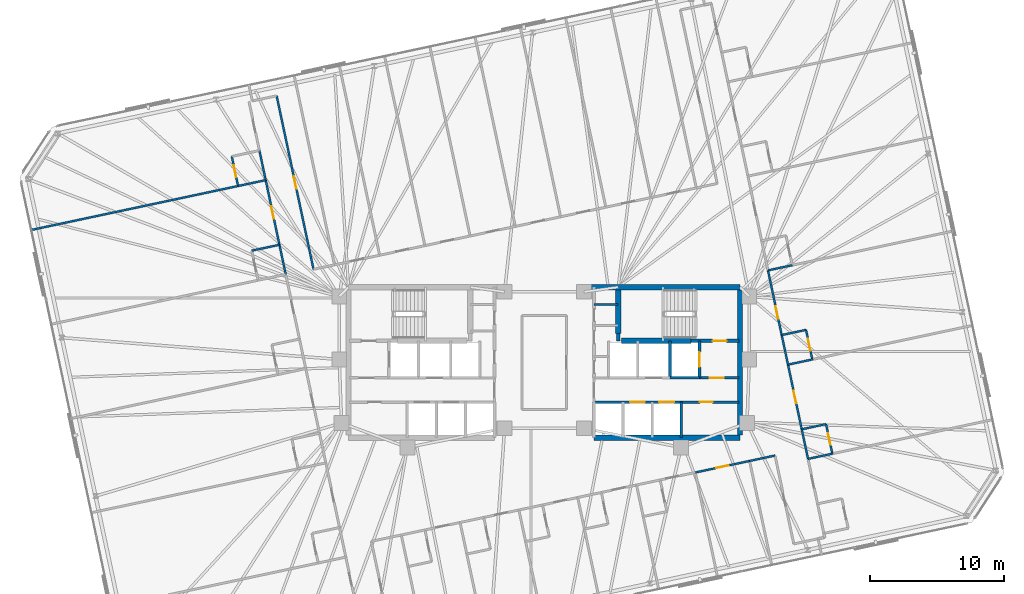
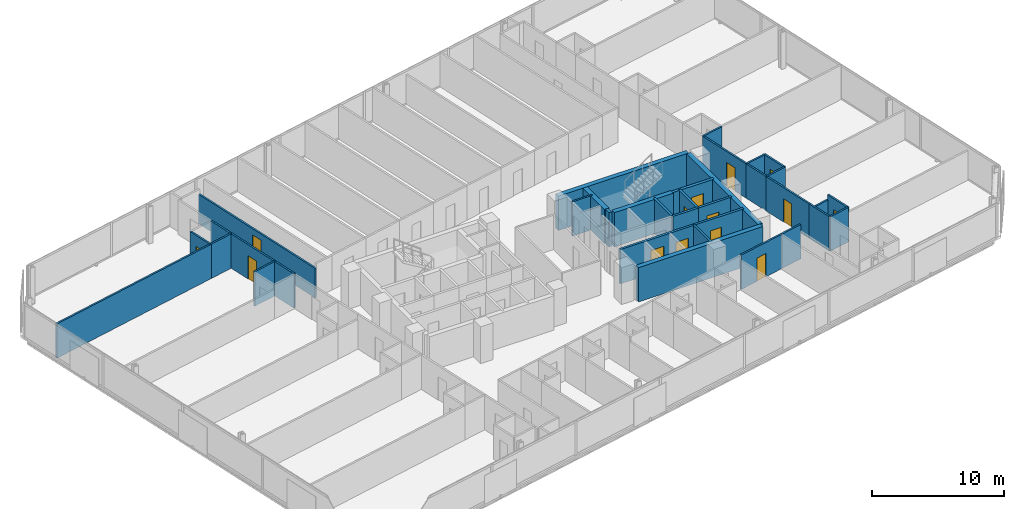
# One storey, part 17 of 21: 35 walls, 14 doors, 14 openings.
"""IFC4 building model written with IfcOpenShell, lengths in metres."""

from ifc_helpers import new_model, si_unit, direction, frame, frame_2d, origin, place, context, subcontext, project, spatial, rectangle, extrude, material, layer, layer_set, type_object, element, fill, save


model = new_model("IFC4")

# Units and contexts
model_context = context("Model", 3, precision=1e-05, world=origin(), true_north=direction((0.0, 1.0)))
body_context = subcontext(model_context, "Body", "Model", "MODEL_VIEW")
ifc_project = project(units=[si_unit("LENGTHUNIT", "METRE"), si_unit("AREAUNIT", "SQUARE_METRE"), si_unit("VOLUMEUNIT", "CUBIC_METRE"), si_unit("PLANEANGLEUNIT", "RADIAN"), si_unit("MASSUNIT", "GRAM", prefix="KILO")], contexts=[model_context])

# Site, building, storey
site_placement = place(None, origin())
site = spatial("IfcSite", under=ifc_project, at=site_placement, CompositionType="ELEMENT")
building_placement = place(site_placement, origin())
building = spatial("IfcBuilding", under=site, at=building_placement, Name="Menara Jurai Vektor", CompositionType="ELEMENT")
storey_placement = place(building_placement, frame((0.0, 0.0, 188.800048828125)))
storey = spatial("IfcBuildingStorey", under=building, at=storey_placement, Name="L49", CompositionType="ELEMENT", Elevation=188.800048828125)

# Wall, opening, door
ifc_material_1 = material(Name="Concrete C40/50", Category="concrete")
ifc_layer_1 = layer(ifc_material_1, 0.25)
ifc_layer_set_1 = layer_set([ifc_layer_1], Name="Concrete C40/50")
wall_type_1 = type_object("IfcWallType", Name="INT-WALL-CORE-250", PredefinedType="STANDARD", material=ifc_layer_set_1)
wall_1_placement = place(storey_placement, frame((10.89990234375, 1.60009765625, 0.0), z_axis=(0.0, 0.0, 1.0), x_axis=(1.0, 0.0, 0.0)))
wall_1 = element("IfcWall", 1, at=wall_1_placement, inside=storey, type_object=wall_type_1, Name="Interior Wall IW-250 L49", PredefinedType="STANDARD", context=body_context, shape_type="SweptSolid", body=[
    extrude(rectangle(XDim=3.60009765625, YDim=0.25, at=frame_2d((1.800048828125, 0.0))), origin(), (0.0, 0.0, 1.0), 3.175048828125),
])
opening_1_placement = place(wall_1_placement, frame((1.6201171875, 0.0, 0.0)))
opening_1 = element("IfcOpeningElement", 2, at=opening_1_placement, cuts=wall_1, Name="Opening D-L49-ST2", PredefinedType="OPENING", context=body_context, shape_type="SweptSolid", body=[
    extrude(rectangle(XDim=1.050048828125, YDim=2.14990234375, at=frame_2d((0.52490234375, 1.074951171875))), frame((0.0, 0.135009765625, 0.0), z_axis=(0.0, -1.0, 0.0), x_axis=(1.0, 0.0, 0.0)), (0.0, 0.0, 1.0), 0.27001953125),
])
ifc_material_2 = material(Name="Fire-Rated Steel Door", Category="steel")
door_type_1 = type_object("IfcDoorType", Name="DR-STAIR-1050", OperationType="NOTDEFINED", PredefinedType="DOOR", material=ifc_material_2)
door_1_placement = place(opening_1_placement, origin())
door_1 = element("IfcDoor", 3, at=door_1_placement, inside=storey, type_object=door_type_1, Name="Exit Stair ST2 Door L49", OperationType="SINGLE_SWING_LEFT", OverallHeight=2.14990234375, OverallWidth=1.050048828125, PredefinedType="DOOR", context=body_context, shape_type="SweptSolid", body=[
    extrude(rectangle(XDim=1.050048828125, YDim=2.14990234375, at=frame_2d((0.52490234375, 1.074951171875))), frame((0.0, 0.02490234375, 0.0), z_axis=(0.0, -1.0, 0.0), x_axis=(1.0, 0.0, 0.0)), (0.0, 0.0, 1.0), 0.050048828125),
])
fill(opening_1, door_1)

# Wall
wall_2_placement = place(storey_placement, frame((5.5, 1.60009765625, 0.0), z_axis=(0.0, 0.0, 1.0), x_axis=(0.0, 1.0, 0.0)))
element("IfcWall", 4, at=wall_2_placement, inside=storey, type_object=wall_type_1, Name="Interior Wall IW-250 L49", PredefinedType="STANDARD", context=body_context, shape_type="SweptSolid", body=[
    extrude(rectangle(XDim=0.5498046875, YDim=0.25, at=frame_2d((0.27490234375, 0.0))), origin(), (0.0, 0.0, 1.0), 3.175048828125),
])

# Wall, opening, door
wall_3_placement = place(storey_placement, frame((11.550048828125, -1.14990234375, 0.0), z_axis=(0.0, 0.0, 1.0), x_axis=(0.0, 1.0, 0.0)))
wall_3 = element("IfcWall", 5, at=wall_3_placement, inside=storey, type_object=wall_type_1, Name="Interior Wall IW-250 L49", PredefinedType="STANDARD", context=body_context, shape_type="SweptSolid", body=[
    extrude(rectangle(XDim=2.75, YDim=0.199951171875, at=frame_2d((1.375, 0.0))), origin(), (0.0, 0.0, 1.0), 3.175048828125),
])
opening_2_placement = place(wall_3_placement, frame((0.824951171875, 0.0, 0.0)))
opening_2 = element("IfcOpeningElement", 6, at=opening_2_placement, cuts=wall_3, Name="Opening LD-L49-FL2", PredefinedType="OPENING", context=body_context, shape_type="SweptSolid", body=[
    extrude(rectangle(XDim=1.10009765625, YDim=2.14990234375, at=frame_2d((0.550048828125, 1.074951171875))), frame((0.0, 0.10986328125, 0.0), z_axis=(0.0, -1.0, 0.0), x_axis=(1.0, 0.0, 0.0)), (0.0, 0.0, 1.0), 0.219970703125),
])
ifc_material_3 = material(Name="Stainless Steel Sliding Lift Landing Door", Category="steel")
door_type_2 = type_object("IfcDoorType", Name="DR-LIFT-FIRE-1100", OperationType="NOTDEFINED", PredefinedType="DOOR", material=ifc_material_3)
door_2_placement = place(opening_2_placement, origin())
door_2 = element("IfcDoor", 7, at=door_2_placement, inside=storey, type_object=door_type_2, Name="Lift Landing Door FL2 L49", OperationType="SLIDING_TO_RIGHT", OverallHeight=2.14990234375, OverallWidth=1.10009765625, PredefinedType="DOOR", context=body_context, shape_type="SweptSolid", body=[
    extrude(rectangle(XDim=1.10009765625, YDim=2.14990234375, at=frame_2d((0.550048828125, 1.074951171875))), frame((0.0, 0.02490234375, 0.0), z_axis=(0.0, -1.0, 0.0), x_axis=(1.0, 0.0, 0.0)), (0.0, 0.0, 1.0), 0.050048828125),
])
fill(opening_2, door_2)

# Wall
wall_4_placement = place(storey_placement, frame((9.35009765625, -1.14990234375, 0.0), z_axis=(0.0, 0.0, 1.0), x_axis=(0.0, 1.0, 0.0)))
element("IfcWall", 8, at=wall_4_placement, inside=storey, type_object=wall_type_1, Name="Interior Wall IW-250 L49", PredefinedType="STANDARD", context=body_context, shape_type="SweptSolid", body=[
    extrude(rectangle(XDim=2.75, YDim=0.199951171875, at=frame_2d((1.375, 0.0))), origin(), (0.0, 0.0, 1.0), 3.175048828125),
])

# Wall, opening, door
wall_5_placement = place(storey_placement, frame((11.550048828125, -1.14990234375, 0.0), z_axis=(0.0, 0.0, 1.0), x_axis=(1.0, 0.0, 0.0)))
wall_5 = element("IfcWall", 9, at=wall_5_placement, inside=storey, type_object=wall_type_1, Name="Interior Wall IW-250 L49", PredefinedType="STANDARD", context=body_context, shape_type="SweptSolid", body=[
    extrude(rectangle(XDim=2.949951171875, YDim=0.199951171875, at=frame_2d((1.47509765625, 0.0))), origin(), (0.0, 0.0, 1.0), 3.175048828125),
])
opening_3_placement = place(wall_5_placement, frame((0.75, 0.0, 0.0)))
opening_3 = element("IfcOpeningElement", 10, at=opening_3_placement, cuts=wall_5, Name="Opening D-L49-FFE", PredefinedType="OPENING", context=body_context, shape_type="SweptSolid", body=[
    extrude(rectangle(XDim=1.050048828125, YDim=2.179931640625, at=frame_2d((0.52490234375, 1.08984375))), frame((0.0, 0.10986328125, 0.0), z_axis=(0.0, -1.0, 0.0), x_axis=(1.0, 0.0, 0.0)), (0.0, 0.0, 1.0), 0.219970703125),
])
ifc_material_4 = material(Name="Fire-Rated Timber Door", Category="wood")
door_type_3 = type_object("IfcDoorType", Name="DR-LOBBY-1050", OperationType="NOTDEFINED", PredefinedType="DOOR", material=ifc_material_4)
door_3_placement = place(opening_3_placement, origin())
door_3 = element("IfcDoor", 11, at=door_3_placement, inside=storey, type_object=door_type_3, Name="Fire Lift Lobby Door E L49", OperationType="SINGLE_SWING_LEFT", OverallHeight=2.179931640625, OverallWidth=1.050048828125, PredefinedType="DOOR", context=body_context, shape_type="SweptSolid", body=[
    extrude(rectangle(XDim=1.050048828125, YDim=2.179931640625, at=frame_2d((0.52490234375, 1.08984375))), frame((0.0, 0.02490234375, 0.0), z_axis=(0.0, -1.0, 0.0), x_axis=(1.0, 0.0, 0.0)), (0.0, 0.0, 1.0), 0.050048828125),
])
fill(opening_3, door_3)

# Walls
wall_6_placement = place(storey_placement, frame((9.35009765625, -1.14990234375, 0.0), z_axis=(0.0, 0.0, 1.0), x_axis=(1.0, 0.0, 0.0)))
element("IfcWall", 12, at=wall_6_placement, inside=storey, type_object=wall_type_1, Name="Interior Wall IW-250 L49", PredefinedType="STANDARD", context=body_context, shape_type="SweptSolid", body=[
    extrude(rectangle(XDim=2.199951171875, YDim=0.199951171875, at=frame_2d((1.10009765625, 0.0))), origin(), (0.0, 0.0, 1.0), 3.175048828125),
])
ifc_material_5 = material(Name="Gypsum Fireboard Partition", Category="gypsum")
ifc_layer_2 = layer(ifc_material_5, 0.14990234375)
ifc_layer_set_2 = layer_set([ifc_layer_2], Name="Gypsum Fireboard Partition")
wall_type_2 = type_object("IfcWallType", Name="INT-WALL-CORR-150", PredefinedType="PARTITIONING", material=ifc_layer_set_2)
wall_7_placement = place(storey_placement, frame((3.699951171875, 4.300048828125, 0.0), z_axis=(0.0, 0.0, 1.0), x_axis=(1.0, 0.0, 0.0)))
element("IfcWall", 13, at=wall_7_placement, inside=storey, type_object=wall_type_2, Name="Interior Wall IW-150 L49", PredefinedType="PARTITIONING", context=body_context, shape_type="SweptSolid", body=[
    extrude(rectangle(XDim=1.800048828125, YDim=0.14990234375, at=frame_2d((0.89990234375, 0.0))), origin(), (0.0, 0.0, 1.0), 3.175048828125),
])

# Wall, opening, door
wall_8_placement = place(storey_placement, frame((11.23388671875, -8.185302734375, 0.0), z_axis=(0.0, 0.0, 1.0), x_axis=(0.978155092113, 0.207876443525, 0.0)))
wall_8 = element("IfcWall", 14, at=wall_8_placement, inside=storey, type_object=wall_type_2, Name="Interior Wall IW-150 L49", PredefinedType="PARTITIONING", context=body_context, shape_type="SweptSolid", body=[
    extrude(rectangle(XDim=4.126953125, YDim=0.14990234375, at=frame_2d((2.0634765625, 0.0))), origin(), (0.0, 0.0, 1.0), 3.175048828125),
])
opening_4_placement = place(wall_8_placement, frame((1.603515625, 0.0, 0.0)))
opening_4 = element("IfcOpeningElement", 15, at=opening_4_placement, cuts=wall_8, Name="Opening D49-30", PredefinedType="OPENING", context=body_context, shape_type="SweptSolid", body=[
    extrude(rectangle(XDim=0.919921875, YDim=2.14990234375, at=frame_2d((0.4599609375, 1.074951171875))), frame((0.0, 0.0849609375, 0.0), z_axis=(0.0, -1.0, 0.0), x_axis=(1.0, 0.0, 0.0)), (0.0, 0.0, 1.0), 0.169921875),
])
ifc_material_6 = material(Name="Solid Core Timber Fire Door", Category="wood")
door_type_4 = type_object("IfcDoorType", Name="DR-ENTRY-950", OperationType="NOTDEFINED", PredefinedType="DOOR", material=ifc_material_6)
door_4_placement = place(opening_4_placement, origin())
door_4 = element("IfcDoor", 16, at=door_4_placement, inside=storey, type_object=door_type_4, Name="Interior Door D49-30", OperationType="SINGLE_SWING_LEFT", OverallHeight=2.14990234375, OverallWidth=0.919921875, PredefinedType="DOOR", context=body_context, shape_type="SweptSolid", body=[
    extrude(rectangle(XDim=0.919921875, YDim=2.14990234375, at=frame_2d((0.4599609375, 1.074951171875))), frame((0.0, 0.02490234375, 0.0), z_axis=(0.0, -1.0, 0.0), x_axis=(1.0, 0.0, 0.0)), (0.0, 0.0, 1.0), 0.050048828125),
])
fill(opening_4, door_4)

# Wall
wall_9_placement = place(storey_placement, frame((15.270751953125, -7.327392578125, 0.0), z_axis=(0.0, 0.0, 1.0), x_axis=(0.978150188204, 0.207899517354, 0.0)))
element("IfcWall", 17, at=wall_9_placement, inside=storey, type_object=wall_type_2, Name="Interior Wall IW-150 L49", PredefinedType="PARTITIONING", context=body_context, shape_type="SweptSolid", body=[
    extrude(rectangle(XDim=1.93408203125, YDim=0.14990234375, at=frame_2d((0.967041015625, 0.0))), origin(), (0.0, 0.0, 1.0), 3.175048828125),
])

# Wall, opening, door
wall_10_placement = place(storey_placement, frame((-19.697265625, 8.750732421875, 0.0), z_axis=(0.0, 0.0, 1.0), x_axis=(-0.207887265829, 0.978152792107, 0.0)))
wall_10 = element("IfcWall", 18, at=wall_10_placement, inside=storey, type_object=wall_type_2, Name="Interior Wall IW-150 L49", PredefinedType="PARTITIONING", context=body_context, shape_type="SweptSolid", body=[
    extrude(rectangle(XDim=4.916015625, YDim=0.14990234375, at=frame_2d((2.4580078125, 0.0))), origin(), (0.0, 0.0, 1.0), 3.175048828125),
])
opening_5_placement = place(wall_10_placement, frame((1.98291015625, 0.0, 0.0)))
opening_5 = element("IfcOpeningElement", 19, at=opening_5_placement, cuts=wall_10, Name="Opening D49-40", PredefinedType="OPENING", context=body_context, shape_type="SweptSolid", body=[
    extrude(rectangle(XDim=0.949951171875, YDim=2.14990234375, at=frame_2d((0.47509765625, 1.074951171875))), frame((0.0, 0.0849609375, 0.0), z_axis=(0.0, -1.0, 0.0), x_axis=(1.0, 0.0, 0.0)), (0.0, 0.0, 1.0), 0.169921875),
])
door_5_placement = place(opening_5_placement, origin())
door_5 = element("IfcDoor", 20, at=door_5_placement, inside=storey, type_object=door_type_4, Name="Interior Door D49-40", OperationType="SINGLE_SWING_LEFT", OverallHeight=2.14990234375, OverallWidth=0.949951171875, PredefinedType="DOOR", context=body_context, shape_type="SweptSolid", body=[
    extrude(rectangle(XDim=0.949951171875, YDim=2.14990234375, at=frame_2d((0.47509765625, 1.074951171875))), frame((0.0, 0.02490234375, 0.0), z_axis=(0.0, -1.0, 0.0), x_axis=(1.0, 0.0, 0.0)), (0.0, 0.0, 1.0), 0.050048828125),
])
fill(opening_5, door_5)

# Walls
for number, where, z_axis, x_axis, name in (
    (21, (-19.2294921875, 6.5498046875, 0.0), (0.0, 0.0, 1.0), (-0.207891197838, 0.978151956427, 0.0), "Interior Wall IW-150 L49"),
    (22, (-20.71923828125, 13.559326171875, 0.0), (0.0, 0.0, 1.0), (-0.207891197838, 0.978151956427, 0.0), "Interior Wall IW-150 L49"),
):
    element("IfcWall", number, at=place(storey_placement, frame(where, z_axis=z_axis, x_axis=x_axis)), inside=storey, type_object=wall_type_2, Name=name, PredefinedType="PARTITIONING", context=body_context, shape_type="SweptSolid", body=[
        extrude(rectangle(XDim=2.25, YDim=0.14990234375, at=frame_2d((1.125, 0.0))), origin(), (0.0, 0.0, 1.0), 3.175048828125),
    ])

# Wall, opening, door
wall_11_placement = place(storey_placement, frame((19.14990234375, -4.972412109375, 0.0), z_axis=(0.0, 0.0, 1.0), x_axis=(-0.207934781332, 0.978142692409, 0.0)))
wall_11 = element("IfcWall", 23, at=wall_11_placement, inside=storey, type_object=wall_type_2, Name="Interior Wall IW-150 L49", PredefinedType="PARTITIONING", context=body_context, shape_type="SweptSolid", body=[
    extrude(rectangle(XDim=4.916015625, YDim=0.14990234375, at=frame_2d((2.4580078125, 0.0))), origin(), (0.0, 0.0, 1.0), 3.175048828125),
])
opening_6_placement = place(wall_11_placement, frame((1.98291015625, 0.0, 0.0)))
opening_6 = element("IfcOpeningElement", 24, at=opening_6_placement, cuts=wall_11, Name="Opening D49-46", PredefinedType="OPENING", context=body_context, shape_type="SweptSolid", body=[
    extrude(rectangle(XDim=0.949951171875, YDim=2.14990234375, at=frame_2d((0.47509765625, 1.074951171875))), frame((0.0, 0.0849609375, 0.0), z_axis=(0.0, -1.0, 0.0), x_axis=(1.0, 0.0, 0.0)), (0.0, 0.0, 1.0), 0.169921875),
])
door_6_placement = place(opening_6_placement, origin())
door_6 = element("IfcDoor", 25, at=door_6_placement, inside=storey, type_object=door_type_4, Name="Interior Door D49-46", OperationType="SINGLE_SWING_LEFT", OverallHeight=2.14990234375, OverallWidth=0.949951171875, PredefinedType="DOOR", context=body_context, shape_type="SweptSolid", body=[
    extrude(rectangle(XDim=0.949951171875, YDim=2.14990234375, at=frame_2d((0.47509765625, 1.074951171875))), frame((0.0, 0.02490234375, 0.0), z_axis=(0.0, -1.0, 0.0), x_axis=(1.0, 0.0, 0.0)), (0.0, 0.0, 1.0), 0.050048828125),
])
fill(opening_6, door_6)

# Wall
wall_12_placement = place(storey_placement, frame((19.61767578125, -7.173095703125, 0.0), z_axis=(0.0, 0.0, 1.0), x_axis=(-0.207913264065, 0.978147266328, 0.0)))
element("IfcWall", 26, at=wall_12_placement, inside=storey, type_object=wall_type_2, Name="Interior Wall IW-150 L49", PredefinedType="PARTITIONING", context=body_context, shape_type="SweptSolid", body=[
    extrude(rectangle(XDim=2.249755859375, YDim=0.14990234375, at=frame_2d((1.125, 0.0))), origin(), (0.0, 0.0, 1.0), 3.175048828125),
])

# Wall, opening, door
wall_13_placement = place(storey_placement, frame((17.659912109375, 2.037109375, 0.0), z_axis=(0.0, 0.0, 1.0), x_axis=(-0.207894386012, 0.978151278824, 0.0)))
wall_13 = element("IfcWall", 27, at=wall_13_placement, inside=storey, type_object=wall_type_2, Name="Interior Wall IW-150 L49", PredefinedType="PARTITIONING", context=body_context, shape_type="SweptSolid", body=[
    extrude(rectangle(XDim=4.9169921875, YDim=0.14990234375, at=frame_2d((2.45849609375, 0.0))), origin(), (0.0, 0.0, 1.0), 3.175048828125),
])
opening_7_placement = place(wall_13_placement, frame((1.24609375, 0.0, 0.0)))
opening_7 = element("IfcOpeningElement", 28, at=opening_7_placement, cuts=wall_13, Name="Opening D49-48", PredefinedType="OPENING", context=body_context, shape_type="SweptSolid", body=[
    extrude(rectangle(XDim=0.949951171875, YDim=2.14990234375, at=frame_2d((0.47509765625, 1.074951171875))), frame((0.0, 0.0849609375, 0.0), z_axis=(0.0, -1.0, 0.0), x_axis=(1.0, 0.0, 0.0)), (0.0, 0.0, 1.0), 0.169921875),
])
door_7_placement = place(opening_7_placement, origin())
door_7 = element("IfcDoor", 29, at=door_7_placement, inside=storey, type_object=door_type_4, Name="Interior Door D49-48", OperationType="SINGLE_SWING_LEFT", OverallHeight=2.14990234375, OverallWidth=0.949951171875, PredefinedType="DOOR", context=body_context, shape_type="SweptSolid", body=[
    extrude(rectangle(XDim=0.949951171875, YDim=2.14990234375, at=frame_2d((0.47509765625, 1.074951171875))), frame((0.0, 0.02490234375, 0.0), z_axis=(0.0, -1.0, 0.0), x_axis=(1.0, 0.0, 0.0)), (0.0, 0.0, 1.0), 0.050048828125),
])
fill(opening_7, door_7)

# Walls
wall_14_placement = place(storey_placement, frame((18.127685546875, -0.163818359375, 0.0), z_axis=(0.0, 0.0, 1.0), x_axis=(-0.207891197838, 0.978151956427, 0.0)))
element("IfcWall", 30, at=wall_14_placement, inside=storey, type_object=wall_type_2, Name="Interior Wall IW-150 L49", PredefinedType="PARTITIONING", context=body_context, shape_type="SweptSolid", body=[
    extrude(rectangle(XDim=2.25, YDim=0.14990234375, at=frame_2d((1.125, 0.0))), origin(), (0.0, 0.0, 1.0), 3.175048828125),
])
wall_15_placement = place(storey_placement, frame((-21.751220703125, 8.314208984375, 0.0), z_axis=(0.0, 0.0, 1.0), x_axis=(0.978153236239, 0.207885176084, 0.0)))
element("IfcWall", 31, at=wall_15_placement, inside=storey, type_object=wall_type_2, Name="Interior Wall IW-150 L49", PredefinedType="PARTITIONING", context=body_context, shape_type="SweptSolid", body=[
    extrude(rectangle(XDim=2.099853515625, YDim=0.14990234375, at=frame_2d((1.0498046875, 0.0))), origin(), (0.0, 0.0, 1.0), 3.175048828125),
])
wall_16_placement = place(storey_placement, frame((-38.14794921875, 9.854736328125, 0.0), z_axis=(0.0, 0.0, 1.0), x_axis=(0.978146137903, 0.207918572776, 0.0)))
element("IfcWall", 32, at=wall_16_placement, inside=storey, type_object=wall_type_2, Name="Interior Wall IW-150 L49", PredefinedType="PARTITIONING", context=body_context, shape_type="SweptSolid", body=[
    extrude(rectangle(XDim=15.718017578125, YDim=0.14990234375, at=frame_2d((7.85888671875, 0.0))), origin(), (0.0, 0.0, 1.0), 3.175048828125),
])
wall_17_placement = place(storey_placement, frame((-22.7734375, 13.122802734375, 0.0), z_axis=(0.0, 0.0, 1.0), x_axis=(0.97815826, 0.207861536591, 0.0)))
element("IfcWall", 33, at=wall_17_placement, inside=storey, type_object=wall_type_2, Name="Interior Wall IW-150 L49", PredefinedType="PARTITIONING", context=body_context, shape_type="SweptSolid", body=[
    extrude(rectangle(XDim=2.10009765625, YDim=0.14990234375, at=frame_2d((1.050048828125, 0.0))), origin(), (0.0, 0.0, 1.0), 3.175048828125),
])

# Wall, opening, door
wall_18_placement = place(storey_placement, frame((-22.7734375, 13.122802734375, 0.0), z_axis=(0.0, 0.0, 1.0), x_axis=(-0.207913264065, 0.978147266328, 0.0)))
wall_18 = element("IfcWall", 34, at=wall_18_placement, inside=storey, type_object=wall_type_2, Name="Interior Wall IW-150 L49", PredefinedType="PARTITIONING", context=body_context, shape_type="SweptSolid", body=[
    extrude(rectangle(XDim=2.249755859375, YDim=0.14990234375, at=frame_2d((1.125, 0.0))), origin(), (0.0, 0.0, 1.0), 3.175048828125),
])
opening_8_placement = place(wall_18_placement, frame((0.68505859375, 0.0, 0.0)))
opening_8 = element("IfcOpeningElement", 35, at=opening_8_placement, cuts=wall_18, Name="Opening D49-43", PredefinedType="OPENING", context=body_context, shape_type="SweptSolid", body=[
    extrude(rectangle(XDim=0.8798828125, YDim=2.14990234375, at=frame_2d((0.43994140625, 1.074951171875))), frame((0.0, 0.0849609375, 0.0), z_axis=(0.0, -1.0, 0.0), x_axis=(1.0, 0.0, 0.0)), (0.0, 0.0, 1.0), 0.169921875),
])
ifc_material_7 = material(Name="Moisture-Resistant Timber Door", Category="wood")
door_type_5 = type_object("IfcDoorType", Name="DR-BATH-880", OperationType="NOTDEFINED", PredefinedType="DOOR", material=ifc_material_7)
door_8_placement = place(opening_8_placement, origin())
door_8 = element("IfcDoor", 36, at=door_8_placement, inside=storey, type_object=door_type_5, Name="Interior Door D49-43", OperationType="SINGLE_SWING_RIGHT", OverallHeight=2.14990234375, OverallWidth=0.8798828125, PredefinedType="DOOR", context=body_context, shape_type="SweptSolid", body=[
    extrude(rectangle(XDim=0.8798828125, YDim=2.14990234375, at=frame_2d((0.43994140625, 1.074951171875))), frame((0.0, 0.02490234375, 0.0), z_axis=(0.0, -1.0, 0.0), x_axis=(1.0, 0.0, 0.0)), (0.0, 0.0, 1.0), 0.050048828125),
])
fill(opening_8, door_8)

# Wall
wall_19_placement = place(storey_placement, frame((19.61767578125, -7.173095703125, 0.0), z_axis=(0.0, 0.0, 1.0), x_axis=(0.978160192495, 0.207852442415, 0.0)))
element("IfcWall", 37, at=wall_19_placement, inside=storey, type_object=wall_type_2, Name="Interior Wall IW-150 L49", PredefinedType="PARTITIONING", context=body_context, shape_type="SweptSolid", body=[
    extrude(rectangle(XDim=1.849853515625, YDim=0.14990234375, at=frame_2d((0.9248046875, 0.0))), origin(), (0.0, 0.0, 1.0), 3.175048828125),
])

# Wall, opening, door
wall_20_placement = place(storey_placement, frame((21.42724609375, -6.78857421875, 0.0), z_axis=(0.0, 0.0, 1.0), x_axis=(-0.207891197838, 0.978151956427, 0.0)))
wall_20 = element("IfcWall", 38, at=wall_20_placement, inside=storey, type_object=wall_type_2, Name="Interior Wall IW-150 L49", PredefinedType="PARTITIONING", context=body_context, shape_type="SweptSolid", body=[
    extrude(rectangle(XDim=2.25, YDim=0.14990234375, at=frame_2d((1.125, 0.0))), origin(), (0.0, 0.0, 1.0), 3.175048828125),
])
opening_9_placement = place(wall_20_placement, frame((0.68505859375, 0.0, 0.0)))
opening_9 = element("IfcOpeningElement", 39, at=opening_9_placement, cuts=wall_20, Name="Opening D49-47", PredefinedType="OPENING", context=body_context, shape_type="SweptSolid", body=[
    extrude(rectangle(XDim=0.8798828125, YDim=2.14990234375, at=frame_2d((0.43994140625, 1.074951171875))), frame((0.0, 0.0849609375, 0.0), z_axis=(0.0, -1.0, 0.0), x_axis=(1.0, 0.0, 0.0)), (0.0, 0.0, 1.0), 0.169921875),
])
door_9_placement = place(opening_9_placement, origin())
door_9 = element("IfcDoor", 40, at=door_9_placement, inside=storey, type_object=door_type_5, Name="Interior Door D49-47", OperationType="SINGLE_SWING_RIGHT", OverallHeight=2.14990234375, OverallWidth=0.8798828125, PredefinedType="DOOR", context=body_context, shape_type="SweptSolid", body=[
    extrude(rectangle(XDim=0.8798828125, YDim=2.14990234375, at=frame_2d((0.43994140625, 1.074951171875))), frame((0.0, 0.02490234375, 0.0), z_axis=(0.0, -1.0, 0.0), x_axis=(1.0, 0.0, 0.0)), (0.0, 0.0, 1.0), 0.050048828125),
])
fill(opening_9, door_9)

# Walls
wall_21_placement = place(storey_placement, frame((18.127685546875, -0.163818359375, 0.0), z_axis=(0.0, 0.0, 1.0), x_axis=(0.978165892835, 0.207825614625, 0.0)))
element("IfcWall", 41, at=wall_21_placement, inside=storey, type_object=wall_type_2, Name="Interior Wall IW-150 L49", PredefinedType="PARTITIONING", context=body_context, shape_type="SweptSolid", body=[
    extrude(rectangle(XDim=1.85009765625, YDim=0.14990234375, at=frame_2d((0.925048828125, 0.0))), origin(), (0.0, 0.0, 1.0), 3.175048828125),
])
wall_22_placement = place(storey_placement, frame((17.659912109375, 2.037109375, 0.0), z_axis=(0.0, 0.0, 1.0), x_axis=(0.978160192495, 0.207852442415, 0.0)))
element("IfcWall", 42, at=wall_22_placement, inside=storey, type_object=wall_type_2, Name="Interior Wall IW-150 L49", PredefinedType="PARTITIONING", context=body_context, shape_type="SweptSolid", body=[
    extrude(rectangle(XDim=1.849853515625, YDim=0.14990234375, at=frame_2d((0.9248046875, 0.0))), origin(), (0.0, 0.0, 1.0), 3.175048828125),
])

# Wall, opening, door
wall_23_placement = place(storey_placement, frame((19.9375, 0.220703125, 0.0), z_axis=(0.0, 0.0, 1.0), x_axis=(-0.207995007687, 0.978129887478, 0.0)))
wall_23 = element("IfcWall", 43, at=wall_23_placement, inside=storey, type_object=wall_type_2, Name="Interior Wall IW-150 L49", PredefinedType="PARTITIONING", context=body_context, shape_type="SweptSolid", body=[
    extrude(rectangle(XDim=2.250244140625, YDim=0.14990234375, at=frame_2d((1.125, 0.0))), origin(), (0.0, 0.0, 1.0), 3.175048828125),
])
opening_10_placement = place(wall_23_placement, frame((0.68505859375, 0.0, 0.0)))
opening_10 = element("IfcOpeningElement", 44, at=opening_10_placement, cuts=wall_23, Name="Opening D49-49", PredefinedType="OPENING", context=body_context, shape_type="SweptSolid", body=[
    extrude(rectangle(XDim=0.8798828125, YDim=2.14990234375, at=frame_2d((0.43994140625, 1.074951171875))), frame((0.0, 0.0849609375, 0.0), z_axis=(0.0, -1.0, 0.0), x_axis=(1.0, 0.0, 0.0)), (0.0, 0.0, 1.0), 0.169921875),
])
door_10_placement = place(opening_10_placement, origin())
door_10 = element("IfcDoor", 45, at=door_10_placement, inside=storey, type_object=door_type_5, Name="Interior Door D49-49", OperationType="SINGLE_SWING_RIGHT", OverallHeight=2.14990234375, OverallWidth=0.8798828125, PredefinedType="DOOR", context=body_context, shape_type="SweptSolid", body=[
    extrude(rectangle(XDim=0.8798828125, YDim=2.14990234375, at=frame_2d((0.43994140625, 1.074951171875))), frame((0.0, 0.02490234375, 0.0), z_axis=(0.0, -1.0, 0.0), x_axis=(1.0, 0.0, 0.0)), (0.0, 0.0, 1.0), 0.050048828125),
])
fill(opening_10, door_10)

# Wall
wall_24_placement = place(storey_placement, frame((16.6376953125, 6.8466796875, 0.0), z_axis=(0.0, 0.0, 1.0), x_axis=(0.978160192495, 0.207852442415, 0.0)))
element("IfcWall", 46, at=wall_24_placement, inside=storey, type_object=wall_type_2, Name="Interior Wall IW-150 L49", PredefinedType="PARTITIONING", context=body_context, shape_type="SweptSolid", body=[
    extrude(rectangle(XDim=1.849853515625, YDim=0.14990234375, at=frame_2d((0.9248046875, 0.0))), origin(), (0.0, 0.0, 1.0), 3.175048828125),
])

# Wall, opening, door
ifc_layer_3 = layer(ifc_material_5, 0.14990234375)
ifc_layer_set_3 = layer_set([ifc_layer_3], Name="Gypsum Fireboard Partition")
wall_type_3 = type_object("IfcWallType", Name="INT-WALL-CORR-150-H1", PredefinedType="PARTITIONING", material=ifc_layer_set_3)
wall_25_placement = place(storey_placement, frame((-17.162353515625, 6.92578125, 0.0), z_axis=(0.0, 0.0, 1.0), x_axis=(-0.207911421929, 0.978147657888, 0.0)))
wall_25 = element("IfcWall", 47, at=wall_25_placement, inside=storey, type_object=wall_type_3, Name="Interior Wall IW-150 L49", PredefinedType="PARTITIONING", context=body_context, shape_type="SweptSolid", body=[
    extrude(rectangle(XDim=13.195068359375, YDim=0.14990234375, at=frame_2d((6.59765625, 0.0))), origin(), (0.0, 0.0, 1.0), 2.724853515625),
])
opening_11_placement = place(wall_25_placement, frame((6.137451171875, 0.0, 0.0)))
opening_11 = element("IfcOpeningElement", 48, at=opening_11_placement, cuts=wall_25, Name="Opening D49-09", PredefinedType="OPENING", context=body_context, shape_type="SweptSolid", body=[
    extrude(rectangle(XDim=0.919921875, YDim=2.14990234375, at=frame_2d((0.4599609375, 1.074951171875))), frame((0.0, 0.0849609375, 0.0), z_axis=(0.0, -1.0, 0.0), x_axis=(1.0, 0.0, 0.0)), (0.0, 0.0, 1.0), 0.169921875),
])
door_11_placement = place(opening_11_placement, origin())
door_11 = element("IfcDoor", 49, at=door_11_placement, inside=storey, type_object=door_type_4, Name="Interior Door D49-09", OperationType="SINGLE_SWING_RIGHT", OverallHeight=2.14990234375, OverallWidth=0.919921875, PredefinedType="DOOR", context=body_context, shape_type="SweptSolid", body=[
    extrude(rectangle(XDim=0.919921875, YDim=2.14990234375, at=frame_2d((0.4599609375, 1.074951171875))), frame((0.0, 0.02490234375, 0.0), z_axis=(0.0, -1.0, 0.0), x_axis=(1.0, 0.0, 0.0)), (0.0, 0.0, 1.0), 0.050048828125),
])
fill(opening_11, door_11)

# Wall
wall_26_placement = place(storey_placement, frame((19.14990234375, -4.972412109375, 0.0), z_axis=(0.0, 0.0, 1.0), x_axis=(0.978133353907, 0.20797870558, 0.0)))
element("IfcWall", 50, at=wall_26_placement, inside=storey, type_object=wall_type_3, Name="Interior Wall IW-150 L49", PredefinedType="PARTITIONING", context=body_context, shape_type="SweptSolid", body=[
    extrude(rectangle(XDim=1.85009765625, YDim=0.14990234375, at=frame_2d((0.925048828125, 0.0))), origin(), (0.0, 0.0, 1.0), 2.724853515625),
])

# Wall, openings, doors
ifc_layer_4 = layer(ifc_material_1, 0.199951171875)
ifc_layer_set_4 = layer_set([ifc_layer_4], Name="Concrete C40/50")
wall_type_4 = type_object("IfcWallType", Name="INT-WALL-SHAFT-200", PredefinedType="STANDARD", material=ifc_layer_set_4)
wall_27_placement = place(storey_placement, frame((3.699951171875, -2.949951171875, 0.0), z_axis=(0.0, 0.0, 1.0), x_axis=(1.0, 0.0, 0.0)))
wall_27 = element("IfcWall", 51, at=wall_27_placement, inside=storey, type_object=wall_type_4, Name="Interior Wall IW-200 L49", PredefinedType="STANDARD", context=body_context, shape_type="SweptSolid", body=[
    extrude(rectangle(XDim=10.800048828125, YDim=0.199951171875, at=frame_2d((5.39990234375, 0.0))), origin(), (0.0, 0.0, 1.0), 3.175048828125),
])
opening_12_placement = place(wall_27_placement, frame((2.68994140625, 0.0, 0.0)))
opening_12 = element("IfcOpeningElement", 52, at=opening_12_placement, cuts=wall_27, Name="Opening LD-L49-PM3", PredefinedType="OPENING", context=body_context, shape_type="SweptSolid", body=[
    extrude(rectangle(XDim=1.10009765625, YDim=2.14990234375, at=frame_2d((0.550048828125, 1.074951171875))), frame((0.0, 0.10986328125, 0.0), z_axis=(0.0, -1.0, 0.0), x_axis=(1.0, 0.0, 0.0)), (0.0, 0.0, 1.0), 0.219970703125),
])
opening_13_placement = place(wall_27_placement, frame((4.85009765625, 0.0, 0.0)))
opening_13 = element("IfcOpeningElement", 53, at=opening_13_placement, cuts=wall_27, Name="Opening LD-L49-PM4", PredefinedType="OPENING", context=body_context, shape_type="SweptSolid", body=[
    extrude(rectangle(XDim=1.10009765625, YDim=2.14990234375, at=frame_2d((0.550048828125, 1.074951171875))), frame((0.0, 0.10986328125, 0.0), z_axis=(0.0, -1.0, 0.0), x_axis=(1.0, 0.0, 0.0)), (0.0, 0.0, 1.0), 0.219970703125),
])
opening_14_placement = place(wall_27_placement, frame((7.8798828125, 0.0, 0.0)))
opening_14 = element("IfcOpeningElement", 54, at=opening_14_placement, cuts=wall_27, Name="Opening D49-04", PredefinedType="OPENING", context=body_context, shape_type="SweptSolid", body=[
    extrude(rectangle(XDim=0.949951171875, YDim=2.14990234375, at=frame_2d((0.47509765625, 1.074951171875))), frame((0.0, 0.10986328125, 0.0), z_axis=(0.0, -1.0, 0.0), x_axis=(1.0, 0.0, 0.0)), (0.0, 0.0, 1.0), 0.219970703125),
])
door_12_placement = place(opening_14_placement, origin())
door_12 = element("IfcDoor", 55, at=door_12_placement, inside=storey, type_object=door_type_4, Name="Interior Door D49-04", OperationType="SINGLE_SWING_LEFT", OverallHeight=2.14990234375, OverallWidth=0.949951171875, PredefinedType="DOOR", context=body_context, shape_type="SweptSolid", body=[
    extrude(rectangle(XDim=0.949951171875, YDim=2.14990234375, at=frame_2d((0.47509765625, 1.074951171875))), frame((0.0, 0.02490234375, 0.0), z_axis=(0.0, -1.0, 0.0), x_axis=(1.0, 0.0, 0.0)), (0.0, 0.0, 1.0), 0.050048828125),
])
fill(opening_14, door_12)
ifc_material_8 = material(Name="Anodised Stainless Sliding Lift Landing Door", Category="steel")
door_type_6 = type_object("IfcDoorType", Name="DR-LIFT-PASS-1100", OperationType="NOTDEFINED", PredefinedType="DOOR", material=ifc_material_8)
door_13_placement = place(opening_12_placement, origin())
door_13 = element("IfcDoor", 56, at=door_13_placement, inside=storey, type_object=door_type_6, Name="Lift Landing Door PM3 L49", OperationType="SLIDING_TO_LEFT", OverallHeight=2.14990234375, OverallWidth=1.10009765625, PredefinedType="DOOR", context=body_context, shape_type="SweptSolid", body=[
    extrude(rectangle(XDim=1.10009765625, YDim=2.14990234375, at=frame_2d((0.550048828125, 1.074951171875))), frame((0.0, 0.02490234375, 0.0), z_axis=(0.0, -1.0, 0.0), x_axis=(1.0, 0.0, 0.0)), (0.0, 0.0, 1.0), 0.050048828125),
])
fill(opening_12, door_13)
door_14_placement = place(opening_13_placement, origin())
door_14 = element("IfcDoor", 57, at=door_14_placement, inside=storey, type_object=door_type_6, Name="Lift Landing Door PM4 L49", OperationType="SLIDING_TO_RIGHT", OverallHeight=2.14990234375, OverallWidth=1.10009765625, PredefinedType="DOOR", context=body_context, shape_type="SweptSolid", body=[
    extrude(rectangle(XDim=1.10009765625, YDim=2.14990234375, at=frame_2d((0.550048828125, 1.074951171875))), frame((0.0, 0.02490234375, 0.0), z_axis=(0.0, -1.0, 0.0), x_axis=(1.0, 0.0, 0.0)), (0.0, 0.0, 1.0), 0.050048828125),
])
fill(opening_13, door_14)

# Walls
wall_28_placement = place(storey_placement, frame((10.179931640625, -5.60009765625, 0.0), z_axis=(0.0, 0.0, 1.0), x_axis=(0.0, 1.0, 0.0)))
element("IfcWall", 58, at=wall_28_placement, inside=storey, type_object=wall_type_4, Name="Interior Wall IW-200 L49", PredefinedType="STANDARD", context=body_context, shape_type="SweptSolid", body=[
    extrude(rectangle(XDim=2.650146484375, YDim=0.179931640625, at=frame_2d((1.3251953125, 0.0))), origin(), (0.0, 0.0, 1.0), 3.175048828125),
])
ifc_material_9 = material(Name="Concrete C50/60", Category="concrete")
ifc_layer_5 = layer(ifc_material_9, 0.39990234375)
ifc_layer_set_5 = layer_set([ifc_layer_5], Name="Concrete C50/60")
wall_type_5 = type_object("IfcWallType", Name="STR-WALL-CORE400", PredefinedType="SHEAR", material=ifc_layer_set_5)
wall_29_placement = place(storey_placement, frame((3.14990234375, 5.60009765625, 0.0), z_axis=(0.0, 0.0, 1.0), x_axis=(1.0, 0.0, 0.0)))
element("IfcWall", 59, at=wall_29_placement, inside=storey, type_object=wall_type_5, Name="Core Shear Wall CW-E-N L49", PredefinedType="SHEAR", context=body_context, shape_type="SweptSolid", body=[
    extrude(rectangle(XDim=11.41015625, YDim=0.39990234375, at=frame_2d((5.705078125, 0.0))), origin(), (0.0, 0.0, 1.0), 3.175048828125),
])
wall_30_placement = place(storey_placement, frame((3.699951171875, -5.60009765625, 0.0), z_axis=(0.0, 0.0, 1.0), x_axis=(1.0, 0.0, 0.0)))
element("IfcWall", 60, at=wall_30_placement, inside=storey, type_object=wall_type_5, Name="Core Shear Wall CW-E-S L49", PredefinedType="SHEAR", context=body_context, shape_type="SweptSolid", body=[
    extrude(rectangle(XDim=10.860107421875, YDim=0.39990234375, at=frame_2d((5.43017578125, 0.0))), origin(), (0.0, 0.0, 1.0), 3.175048828125),
])
wall_31_placement = place(storey_placement, frame((14.56005859375, -5.39990234375, 0.0), z_axis=(0.0, 0.0, 1.0), x_axis=(0.0, 1.0, 0.0)))
element("IfcWall", 61, at=wall_31_placement, inside=storey, type_object=wall_type_5, Name="Core Shear Wall CW-E-E L49", PredefinedType="SHEAR", context=body_context, shape_type="SweptSolid", body=[
    extrude(rectangle(XDim=10.7998046875, YDim=0.39990234375, at=frame_2d((5.39990234375, 0.0))), origin(), (0.0, 0.0, 1.0), 3.175048828125),
])
wall_32_placement = place(storey_placement, frame((5.5, 2.14990234375, 0.0), z_axis=(0.0, 0.0, 1.0), x_axis=(0.0, 1.0, 0.0)))
element("IfcWall", 62, at=wall_32_placement, inside=storey, type_object=wall_type_5, Name="Core Shear Wall CW-E-ST L49", PredefinedType="SHEAR", context=body_context, shape_type="SweptSolid", body=[
    extrude(rectangle(XDim=3.25, YDim=0.39990234375, at=frame_2d((1.625, 0.0))), origin(), (0.0, 0.0, 1.0), 3.175048828125),
])
wall_33_placement = place(storey_placement, frame((5.75, 1.60009765625, 0.0), z_axis=(0.0, 0.0, 1.0), x_axis=(1.0, 0.0, 0.0)))
element("IfcWall", 63, at=wall_33_placement, inside=storey, type_object=wall_type_5, Name="Core Shear Wall CW-E-STS L49", PredefinedType="SHEAR", context=body_context, shape_type="SweptSolid", body=[
    extrude(rectangle(XDim=5.14990234375, YDim=0.39990234375, at=frame_2d((2.574951171875, 0.0))), origin(), (0.0, 0.0, 1.0), 3.175048828125),
])

save(model, "model.ifc")
